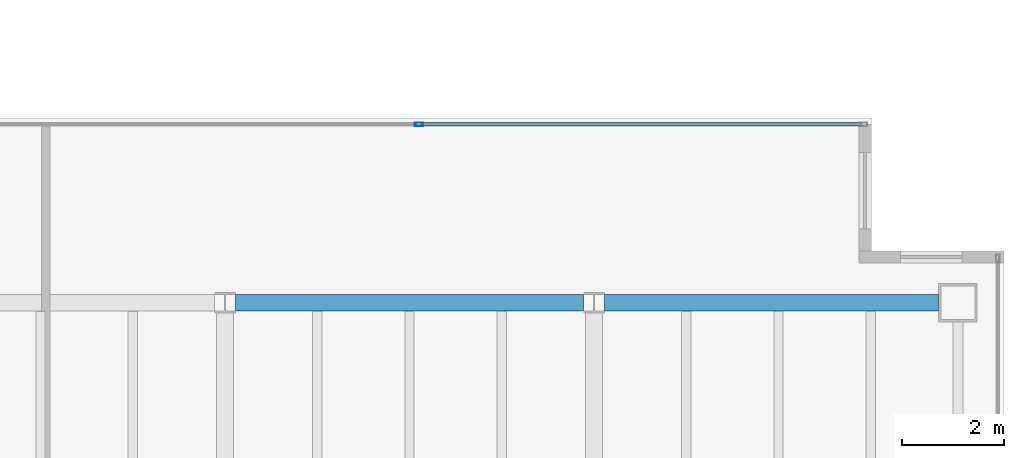
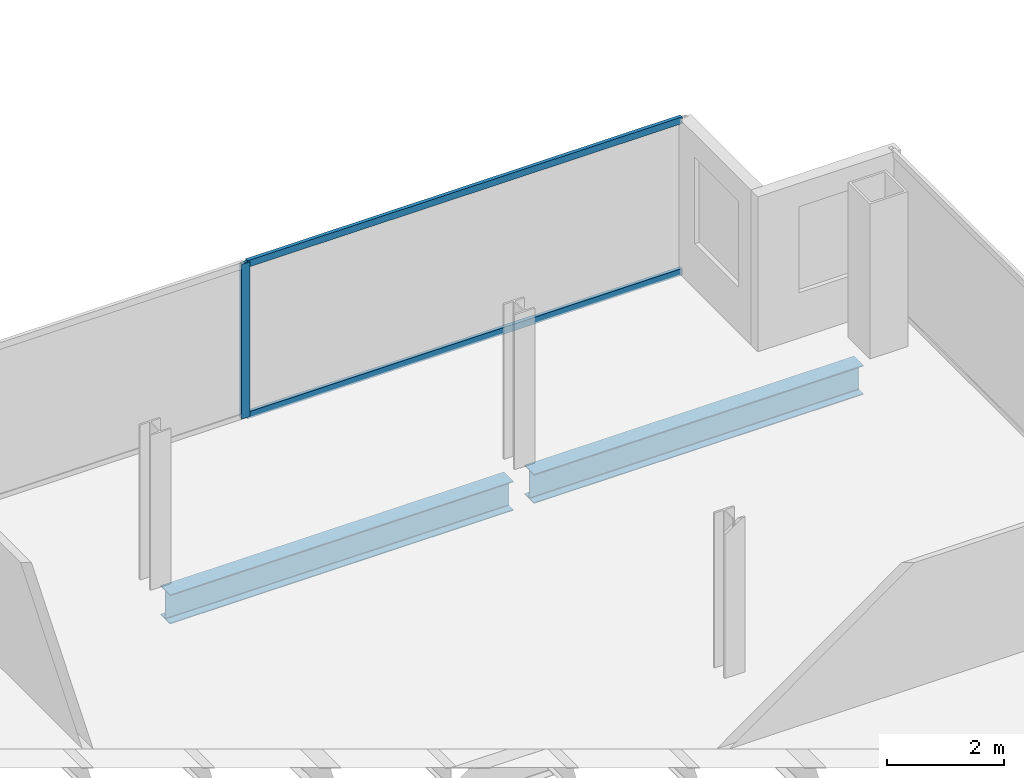
# One storey, part 15 of 23: 3 members, 2 beams, 1 element without a shape of its own.
"""IFC4 building model written with IfcOpenShell, lengths in metres."""

from ifc_helpers import new_model, si_unit, direction, frame, origin, origin_2d, place, context, subcontext, project, spatial, hollow_rectangle, i_section, extrude, material, material_profile, profile_set, type_object, element, aggregate, save


model = new_model("IFC4")

# Units and contexts
model_context = context("Model", 3, precision=1e-05, world=origin(), true_north=direction((0.0, 1.0)))
body_context = subcontext(model_context, "Body", "Model", "MODEL_VIEW")
ifc_project = project(units=[si_unit("LENGTHUNIT", "METRE"), si_unit("AREAUNIT", "SQUARE_METRE"), si_unit("VOLUMEUNIT", "CUBIC_METRE"), si_unit("PLANEANGLEUNIT", "RADIAN"), si_unit("MASSUNIT", "GRAM", prefix="KILO")], contexts=[model_context])

# Site, building, storey
site_placement = place(None, origin())
site = spatial("IfcSite", under=ifc_project, at=site_placement, CompositionType="ELEMENT")
building_placement = place(site_placement, origin())
building = spatial("IfcBuilding", under=site, at=building_placement, Name="Cobrela Telecom Tower", CompositionType="ELEMENT")
storey_placement = place(building_placement, frame((0.0, 0.0, 204.75)))
storey = spatial("IfcBuildingStorey", under=building, at=storey_placement, Name="L52", CompositionType="ELEMENT", Elevation=204.75)

# Beams
ifc_material_1 = material(Name="Steel ASTM A992 Grade 50", Category="steel")
ifc_material_profile_1 = material_profile(ifc_material_1, i_section(OverallWidth=0.324951171875, OverallDepth=0.612060546875, WebThickness=0.0126953125, FlangeThickness=0.01904296875, FilletRadius=0.014892578125, at=origin_2d()), Name="W24X104")
ifc_profile_set_1 = profile_set([ifc_material_profile_1], Name="Steel ASTM A992 Grade 50")
beam_type = type_object("IfcBeamType", Name="BM-GIRD-07", PredefinedType="USERDEFINED", material=ifc_profile_set_1)
beam_1_placement = place(storey_placement, frame((29.00439453125, 21.60009765625, -0.56591796875), z_axis=(1.0, 0.0, 0.0), x_axis=(0.0, 1.0, 0.0)))
element("IfcBeam", 1, at=beam_1_placement, inside=storey, type_object=beam_type, Name="L52 Primary Girder X17", ObjectType="GIRDER", PredefinedType="USERDEFINED", context=body_context, shape_type="SweptSolid", body=[
    extrude(i_section(OverallWidth=0.324951171875, OverallDepth=0.612060546875, WebThickness=0.0126953125, FlangeThickness=0.01904296875, FilletRadius=0.014892578125, at=origin_2d()), origin(), (0.0, 0.0, 1.0), 6.791015625),
])
beam_2_placement = place(storey_placement, frame((36.20458984375, 21.60009765625, -0.56591796875), z_axis=(1.0, 0.0, 0.0), x_axis=(0.0, 1.0, 0.0)))
element("IfcBeam", 2, at=beam_2_placement, inside=storey, type_object=beam_type, Name="L52 Primary Girder X18", ObjectType="GIRDER", PredefinedType="USERDEFINED", context=body_context, shape_type="SweptSolid", body=[
    extrude(i_section(OverallWidth=0.324951171875, OverallDepth=0.612060546875, WebThickness=0.0126953125, FlangeThickness=0.01904296875, FilletRadius=0.014892578125, at=origin_2d()), origin(), (0.0, 0.0, 1.0), 6.515380859375),
])

# Curtain wall, members
ifc_material_2 = material(Name="Anodized Bronze Aluminium 6063-T6", Category="aluminium")
curtain_wall_type = type_object("IfcCurtainWallType", Name="CW-SYS-OFF-LO", PredefinedType="USERDEFINED", material=ifc_material_2)
curtain_wall_placement = place(storey_placement, origin())
curtain_wall = element("IfcCurtainWall", 3, at=curtain_wall_placement, inside=storey, type_object=curtain_wall_type, Name="L52 Unitised Bronze Curtain Wall 11", ObjectType="UNITISED CURTAIN WALL", PredefinedType="USERDEFINED")
ifc_material_profile_2 = material_profile(ifc_material_2, hollow_rectangle(XDim=0.070068359375, YDim=0.159912109375, WallThickness=0.00390625, at=origin_2d()), Name="ALU 70x160x4")
ifc_profile_set_2 = profile_set([ifc_material_profile_2], Name="Anodized Bronze Aluminium 6063-T6")
member_type_1 = type_object("IfcMemberType", Name="CW-SYS-OFF-LO-MUL", PredefinedType="MULLION", material=ifc_profile_set_2)
member_1_placement = place(storey_placement, frame((32.5849609375, 25.080078125, 0.0), z_axis=(0.0, 0.0, 1.0), x_axis=(0.0, 1.0, 0.0)))
member_1 = element("IfcMember", 4, at=member_1_placement, type_object=member_type_1, Name="CW-OFF-LO mullion 2", PredefinedType="MULLION", context=body_context, shape_type="SweptSolid", body=[
    extrude(hollow_rectangle(XDim=0.070068359375, YDim=0.159912109375, WallThickness=0.00390625, at=origin_2d()), origin(), (0.0, 0.0, 1.0), 3.239990234375),
])
ifc_material_profile_3 = material_profile(ifc_material_2, hollow_rectangle(XDim=0.070068359375, YDim=0.139892578125, WallThickness=0.00390625, at=origin_2d()), Name="ALU 70x140x4")
ifc_profile_set_3 = profile_set([ifc_material_profile_3], Name="Anodized Bronze Aluminium 6063-T6")
member_type_2 = type_object("IfcMemberType", Name="CW-SYS-OFF-LO-TRN", PredefinedType="USERDEFINED", material=ifc_profile_set_3)
member_2_placement = place(storey_placement, frame((32.6201171875, 25.080078125, 0.034912109375), z_axis=(1.0, 0.0, 0.0), x_axis=(0.0, 1.0, 0.0)))
member_2 = element("IfcMember", 5, at=member_2_placement, type_object=member_type_2, Name="CW-OFF-LO transom 2.1", ObjectType="TRANSOM", PredefinedType="USERDEFINED", context=body_context, shape_type="SweptSolid", body=[
    extrude(hollow_rectangle(XDim=0.070068359375, YDim=0.139892578125, WallThickness=0.00390625, at=origin_2d()), origin(), (0.0, 0.0, 1.0), 8.599853515625),
])
member_3_placement = place(storey_placement, frame((32.6201171875, 25.080078125, 3.205078125), z_axis=(1.0, 0.0, 0.0), x_axis=(0.0, 1.0, 0.0)))
member_3 = element("IfcMember", 6, at=member_3_placement, type_object=member_type_2, Name="CW-OFF-LO transom 2.2", ObjectType="TRANSOM", PredefinedType="USERDEFINED", context=body_context, shape_type="SweptSolid", body=[
    extrude(hollow_rectangle(XDim=0.070068359375, YDim=0.139892578125, WallThickness=0.00390625, at=origin_2d()), origin(), (0.0, 0.0, 1.0), 8.599853515625),
])
aggregate(curtain_wall, [member_1, member_2, member_3])

save(model, "model.ifc")
